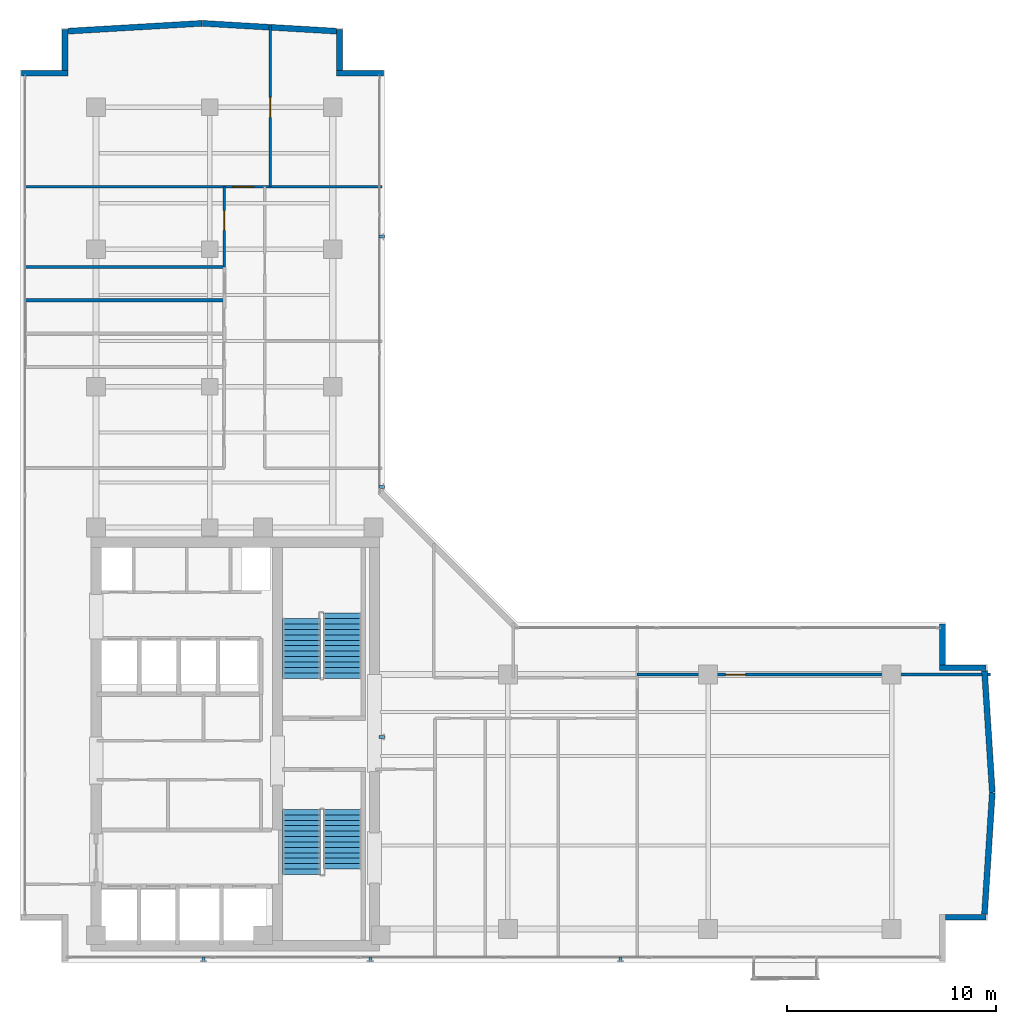
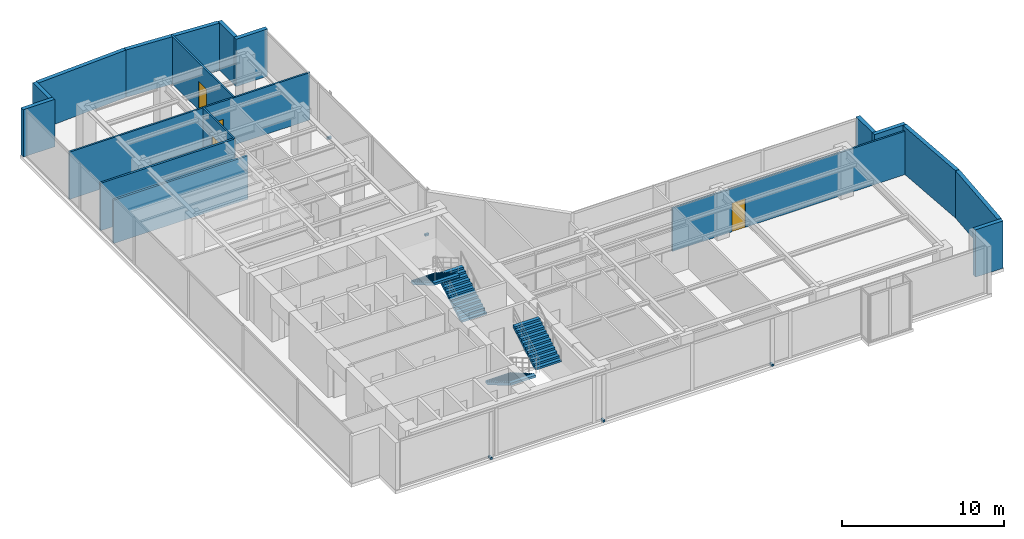
# One storey, part 18 of 23: 17 walls, 6 discrete accessories, 4 doors, 4 stair flights, 4 openings, 2 elements without a shape of their own.
"""IFC4 building model written with IfcOpenShell, lengths in metres."""

from ifc_helpers import new_model, si_unit, direction, frame, frame_2d, origin, origin_with_axes, origin_2d, place, context, subcontext, project, spatial, polyline, rectangle, outline, extrude, source, transform, mapped, material, layer, layer_set, type_object, element, fill, aggregate, save


model = new_model("IFC4")

# Units and contexts
model_context = context("Model", 3, precision=1e-05, world=origin(), true_north=direction((0.0, 1.0)))
body_context = subcontext(model_context, "Body", "Model", "MODEL_VIEW")
ifc_project = project(units=[si_unit("LENGTHUNIT", "METRE"), si_unit("AREAUNIT", "SQUARE_METRE"), si_unit("VOLUMEUNIT", "CUBIC_METRE"), si_unit("PLANEANGLEUNIT", "RADIAN"), si_unit("MASSUNIT", "GRAM", prefix="KILO")], contexts=[model_context])

# Site, building, storey
site_placement = place(None, origin())
site = spatial("IfcSite", under=ifc_project, at=site_placement, CompositionType="ELEMENT")
building_placement = place(site_placement, origin())
building = spatial("IfcBuilding", under=site, at=building_placement, Name="Kolvaren Waterfront Exchange", CompositionType="ELEMENT")
storey_placement = place(building_placement, frame((0.0, 0.0, 304.60009765625)))
storey = spatial("IfcBuildingStorey", under=building, at=storey_placement, Name="L78", CompositionType="ELEMENT", Elevation=304.60009765625)

# Walls
ifc_material_1 = material(Name="Precast concrete C40/50", Category="concrete")
ifc_layer_1 = layer(ifc_material_1, 0.280029296875, Name="Precast concrete C40/50")
ifc_layer_set_1 = layer_set([ifc_layer_1], Name="Precast concrete C40/50")
wall_type_1 = type_object("IfcWallType", Name="ARC-EXT-TERR-280", PredefinedType="SOLIDWALL", material=ifc_layer_set_1)
wall_1_placement = place(storey_placement, frame((48.1748046875, 5.760009765625, 0.0), z_axis=(0.0, 0.0, 1.0), x_axis=(1.0, 0.0, 0.0)))
element("IfcWall", 1, at=wall_1_placement, inside=storey, type_object=wall_type_1, Name="L78 notched corner spandrel pier SE-B", PredefinedType="SOLIDWALL", context=body_context, shape_type="SweptSolid", body=[
    extrude(rectangle(XDim=1.9599609375, YDim=0.280029296875, at=frame_2d((0.97998046875, 0.0))), origin(), (0.0, 0.0, 1.0), 3.559814453125),
])
wall_2_placement = place(storey_placement, frame((48.03466796875, 17.84912109375, 0.0), z_axis=(0.0, 0.0, 1.0), x_axis=(0.0, 1.0, 0.0)))
element("IfcWall", 2, at=wall_2_placement, inside=storey, type_object=wall_type_1, Name="L78 notched corner spandrel pier ENE-A", PredefinedType="SOLIDWALL", context=body_context, shape_type="SweptSolid", body=[
    extrude(rectangle(XDim=1.97509765625, YDim=0.280029296875, at=frame_2d((0.987548828125, 0.0))), origin(), (0.0, 0.0, 1.0), 3.559814453125),
])
for number, where, z_axis, x_axis, name in (
    (3, (47.894775390625, 17.72412109375, 0.0), (0.0, 0.0, 1.0), (1.0, 0.0, 0.0), "L78 notched corner spandrel pier ENE-B"),
    (4, (18.984130859375, 46.234619140625, 0.0), (0.0, 0.0, 1.0), (1.0, 0.0, 0.0), "L78 notched corner spandrel pier NNE-A"),
):
    element("IfcWall", number, at=place(storey_placement, frame(where, z_axis=z_axis, x_axis=x_axis)), inside=storey, type_object=wall_type_1, Name=name, PredefinedType="SOLIDWALL", context=body_context, shape_type="SweptSolid", body=[
        extrude(rectangle(XDim=2.239990234375, YDim=0.280029296875, at=frame_2d((1.1201171875, 0.0))), origin(), (0.0, 0.0, 1.0), 3.559814453125),
    ])
wall_3_placement = place(storey_placement, frame((19.124267578125, 46.374755859375, 0.0), z_axis=(0.0, 0.0, 1.0), x_axis=(0.0, 1.0, 0.0)))
element("IfcWall", 5, at=wall_3_placement, inside=storey, type_object=wall_type_1, Name="L78 notched corner spandrel pier NNE-B", PredefinedType="SOLIDWALL", context=body_context, shape_type="SweptSolid", body=[
    extrude(rectangle(XDim=1.9599609375, YDim=0.280029296875, at=frame_2d((0.97998046875, 0.0))), origin(), (0.0, 0.0, 1.0), 3.559814453125),
])
wall_4_placement = place(storey_placement, frame((3.860107421875, 46.234619140625, 0.0), z_axis=(0.0, 0.0, 1.0), x_axis=(1.0, 0.0, 0.0)))
element("IfcWall", 6, at=wall_4_placement, inside=storey, type_object=wall_type_1, Name="L78 notched corner spandrel pier NW-A", PredefinedType="SOLIDWALL", context=body_context, shape_type="SweptSolid", body=[
    extrude(rectangle(XDim=2.239990234375, YDim=0.280029296875, at=frame_2d((1.1201171875, 0.0))), origin(), (0.0, 0.0, 1.0), 3.559814453125),
])
wall_5_placement = place(storey_placement, frame((5.9599609375, 46.374755859375, 0.0), z_axis=(0.0, 0.0, 1.0), x_axis=(0.0, 1.0, 0.0)))
element("IfcWall", 7, at=wall_5_placement, inside=storey, type_object=wall_type_1, Name="L78 notched corner spandrel pier NW-B", PredefinedType="SOLIDWALL", context=body_context, shape_type="SweptSolid", body=[
    extrude(rectangle(XDim=1.9599609375, YDim=0.280029296875, at=frame_2d((0.97998046875, 0.0))), origin(), (0.0, 0.0, 1.0), 3.559814453125),
])
wall_6_placement = place(storey_placement, frame((50.05419921875, 5.90966796875, 0.0), z_axis=(0.0, 0.0, 1.0), x_axis=(0.064144359994, 0.997940630038, 0.0)))
element("IfcWall", 8, at=wall_6_placement, inside=storey, type_object=wall_type_1, Name="L78 east prow faceted facade wall 1", PredefinedType="SOLIDWALL", context=body_context, shape_type="SweptSolid", body=[
    extrude(rectangle(XDim=5.834716796875, YDim=0.280029296875, at=frame_2d((2.91748046875, 0.0))), origin(), (0.0, 0.0, 1.0), 3.559814453125),
])
wall_7_placement = place(storey_placement, frame((50.428466796875, 11.751708984375, 0.0), z_axis=(0.0, 0.0, 1.0), x_axis=(-0.06414168168, 0.997940802188, 0.0)))
element("IfcWall", 9, at=wall_7_placement, inside=storey, type_object=wall_type_1, Name="L78 east prow faceted facade wall 2", PredefinedType="SOLIDWALL", context=body_context, shape_type="SweptSolid", body=[
    extrude(rectangle(XDim=5.8349609375, YDim=0.280029296875, at=frame_2d((2.91748046875, 0.0))), origin(), (0.0, 0.0, 1.0), 3.559814453125),
])
for number, where, z_axis, x_axis, name in (
    (10, (18.975341796875, 48.25244140625, 0.0), (0.0, 0.0, 1.0), (-0.998290951688, 0.058439505288, 0.0), "L78 north prow faceted facade wall 1"),
    (11, (12.531494140625, 48.62841796875, 0.0), (0.0, 0.0, 1.0), (-0.998290951688, -0.058439505288, 0.0), "L78 north prow faceted facade wall 2"),
):
    element("IfcWall", number, at=place(storey_placement, frame(where, z_axis=z_axis, x_axis=x_axis)), inside=storey, type_object=wall_type_1, Name=name, PredefinedType="SOLIDWALL", context=body_context, shape_type="SweptSolid", body=[
        extrude(rectangle(XDim=6.43359375, YDim=0.280029296875, at=frame_2d((3.216796875, 0.0))), origin(), (0.0, 0.0, 1.0), 3.559814453125),
    ])

# Wall, opening, door
ifc_material_2 = material(Name="Acoustic gypsum steel stud", Category="steel")
ifc_layer_2 = layer(ifc_material_2, 0.125, Name="Acoustic gypsum steel stud")
ifc_layer_set_2 = layer_set([ifc_layer_2], Name="Acoustic gypsum steel stud")
wall_type_2 = type_object("IfcWallType", Name="ARC-PART-125", PredefinedType="PARTITIONING", material=ifc_layer_set_2)
wall_8_placement = place(storey_placement, frame((33.39990234375, 17.39990234375, 0.0), z_axis=(0.0, 0.0, 1.0), x_axis=(1.0, 0.0, 0.0)))
wall_8 = element("IfcWall", 12, at=wall_8_placement, inside=storey, type_object=wall_type_2, Name="L78 interior wall PW-L78-ETIP-MID", PredefinedType="PARTITIONING", context=body_context, shape_type="SweptSolid", body=[
    extrude(rectangle(XDim=16.949462890625, YDim=0.125, at=frame_2d((8.474609375, 0.0))), origin(), (0.0, 0.0, 1.0), 3.260009765625),
])
opening_1_placement = place(wall_8_placement, frame((4.24365234375, 0.0, 0.0)))
opening_1 = element("IfcOpeningElement", 13, at=opening_1_placement, cuts=wall_8, Name="Opening D02", PredefinedType="OPENING", context=body_context, shape_type="SweptSolid", body=[
    extrude(rectangle(XDim=0.949951171875, YDim=2.14990234375, at=frame_2d((0.47509765625, 1.074951171875))), frame((0.0, 0.072509765625, 0.0), z_axis=(0.0, -1.0, 0.0), x_axis=(1.0, 0.0, 0.0)), (0.0, 0.0, 1.0), 0.14501953125),
])
ifc_material_3 = material(Name="Oak veneer acoustic timber", Category="wood")
door_type_1 = type_object("IfcDoorType", Name="ARC-DR-950", OperationType="NOTDEFINED", PredefinedType="DOOR", material=ifc_material_3)
door_1_placement = place(opening_1_placement, origin())
door_1 = element("IfcDoor", 14, at=door_1_placement, inside=storey, type_object=door_type_1, Name="L78 door DR-L78-ETIP2-D (D02)", OperationType="SINGLE_SWING_RIGHT", OverallHeight=2.14990234375, OverallWidth=0.949951171875, PredefinedType="DOOR", context=body_context, shape_type="SweptSolid", body=[
    extrude(rectangle(XDim=0.949951171875, YDim=2.14990234375, at=frame_2d((0.47509765625, 1.074951171875))), frame((0.0, 0.02490234375, 0.0), z_axis=(0.0, -1.0, 0.0), x_axis=(1.0, 0.0, 0.0)), (0.0, 0.0, 1.0), 0.050048828125),
])
fill(opening_1, door_1)

wall_9_placement = place(storey_placement, frame((13.60009765625, 36.949951171875, 0.0), z_axis=(0.0, 0.0, 1.0), x_axis=(0.0, 1.0, 0.0)))
wall_9 = element("IfcWall", 15, at=wall_9_placement, inside=storey, type_object=wall_type_2, Name="L78 interior wall PW-L78-NW-CORR", PredefinedType="PARTITIONING", context=body_context, shape_type="SweptSolid", body=[
    extrude(rectangle(XDim=3.85009765625, YDim=0.125, at=frame_2d((1.925048828125, 0.0))), origin(), (0.0, 0.0, 1.0), 3.559814453125),
])
opening_2_placement = place(wall_9_placement, frame((1.75, 0.0, 0.0)))
opening_2 = element("IfcOpeningElement", 16, at=opening_2_placement, cuts=wall_9, Name="Opening D02", PredefinedType="OPENING", context=body_context, shape_type="SweptSolid", body=[
    extrude(rectangle(XDim=0.949951171875, YDim=2.14990234375, at=frame_2d((0.47509765625, 1.074951171875))), frame((0.0, 0.072509765625, 0.0), z_axis=(0.0, -1.0, 0.0), x_axis=(1.0, 0.0, 0.0)), (0.0, 0.0, 1.0), 0.14501953125),
])
door_2_placement = place(opening_2_placement, origin())
door_2 = element("IfcDoor", 17, at=door_2_placement, inside=storey, type_object=door_type_1, Name="L78 door DR-L78-NW-D-1 (D02)", OperationType="SINGLE_SWING_LEFT", OverallHeight=2.14990234375, OverallWidth=0.949951171875, PredefinedType="DOOR", context=body_context, shape_type="SweptSolid", body=[
    extrude(rectangle(XDim=0.949951171875, YDim=2.14990234375, at=frame_2d((0.47509765625, 1.074951171875))), frame((0.0, 0.02490234375, 0.0), z_axis=(0.0, -1.0, 0.0), x_axis=(1.0, 0.0, 0.0)), (0.0, 0.0, 1.0), 0.050048828125),
])
fill(opening_2, door_2)

wall_10_placement = place(storey_placement, frame((4.0400390625, 40.800048828125, 0.0), z_axis=(0.0, 0.0, 1.0), x_axis=(1.0, 0.0, 0.0)))
wall_10 = element("IfcWall", 18, at=wall_10_placement, inside=storey, type_object=wall_type_2, Name="L78 interior wall PW-L78-NTIP-S", PredefinedType="PARTITIONING", context=body_context, shape_type="SweptSolid", body=[
    extrude(rectangle(XDim=17.119873046875, YDim=0.125, at=frame_2d((8.56005859375, 0.0))), origin(), (0.0, 0.0, 1.0), 3.559814453125),
])
opening_3_placement = place(wall_10_placement, frame((9.9599609375, 0.0, 0.0)))
opening_3 = element("IfcOpeningElement", 19, at=opening_3_placement, cuts=wall_10, Name="Opening D03", PredefinedType="OPENING", context=body_context, shape_type="SweptSolid", body=[
    extrude(rectangle(XDim=1.0, YDim=2.199951171875, at=frame_2d((0.5, 1.10009765625))), frame((0.0, 0.072509765625, 0.0), z_axis=(0.0, -1.0, 0.0), x_axis=(1.0, 0.0, 0.0)), (0.0, 0.0, 1.0), 0.14501953125),
])
ifc_material_4 = material(Name="Oak veneer accessible timber", Category="wood")
door_type_2 = type_object("IfcDoorType", Name="ARC-DR-1000", OperationType="NOTDEFINED", PredefinedType="DOOR", material=ifc_material_4)
door_3_placement = place(opening_3_placement, origin())
door_3 = element("IfcDoor", 20, at=door_3_placement, inside=storey, type_object=door_type_2, Name="L78 door DR-L78-NTIPW-D (D03)", OperationType="SINGLE_SWING_RIGHT", OverallHeight=2.199951171875, OverallWidth=1.0, PredefinedType="DOOR", context=body_context, shape_type="SweptSolid", body=[
    extrude(rectangle(XDim=1.0, YDim=2.199951171875, at=frame_2d((0.5, 1.10009765625))), frame((0.0, 0.02490234375, 0.0), z_axis=(0.0, -1.0, 0.0), x_axis=(1.0, 0.0, 0.0)), (0.0, 0.0, 1.0), 0.050048828125),
])
fill(opening_3, door_3)

wall_11_placement = place(storey_placement, frame((15.800048828125, 40.800048828125, 0.0), z_axis=(0.0, 0.0, 1.0), x_axis=(0.0, 1.0, 0.0)))
wall_11 = element("IfcWall", 21, at=wall_11_placement, inside=storey, type_object=wall_type_2, Name="L78 interior wall PW-L78-NTIP-DIV", PredefinedType="PARTITIONING", context=body_context, shape_type="SweptSolid", body=[
    extrude(rectangle(XDim=7.749267578125, YDim=0.125, at=frame_2d((3.87451171875, 0.0))), origin(), (0.0, 0.0, 1.0), 3.559814453125),
])
opening_4_placement = place(wall_11_placement, frame((3.32421875, 0.0, 0.0)))
opening_4 = element("IfcOpeningElement", 22, at=opening_4_placement, cuts=wall_11, Name="Opening D02", PredefinedType="OPENING", context=body_context, shape_type="SweptSolid", body=[
    extrude(rectangle(XDim=0.949951171875, YDim=2.14990234375, at=frame_2d((0.47509765625, 1.074951171875))), frame((0.0, 0.072509765625, 0.0), z_axis=(0.0, -1.0, 0.0), x_axis=(1.0, 0.0, 0.0)), (0.0, 0.0, 1.0), 0.14501953125),
])
door_4_placement = place(opening_4_placement, origin())
door_4 = element("IfcDoor", 23, at=door_4_placement, inside=storey, type_object=door_type_1, Name="L78 door DR-L78-NTIPE-D (D02)", OperationType="SINGLE_SWING_LEFT", OverallHeight=2.14990234375, OverallWidth=0.949951171875, PredefinedType="DOOR", context=body_context, shape_type="SweptSolid", body=[
    extrude(rectangle(XDim=0.949951171875, YDim=2.14990234375, at=frame_2d((0.47509765625, 1.074951171875))), frame((0.0, 0.02490234375, 0.0), z_axis=(0.0, -1.0, 0.0), x_axis=(1.0, 0.0, 0.0)), (0.0, 0.0, 1.0), 0.050048828125),
])
fill(opening_4, door_4)

# Walls
ifc_material_5 = material(Name="Moisture-resistant gypsum stud")
ifc_layer_3 = layer(ifc_material_5, 0.14990234375, Name="Moisture-resistant gypsum stud")
ifc_layer_set_3 = layer_set([ifc_layer_3], Name="Moisture-resistant gypsum stud")
wall_type_3 = type_object("IfcWallType", Name="ARC-PLUMB-150", PredefinedType="PLUMBINGWALL", material=ifc_layer_set_3)
wall_12_placement = place(storey_placement, frame((4.0400390625, 35.35009765625, 0.0), z_axis=(0.0, 0.0, 1.0), x_axis=(1.0, 0.0, 0.0)))
element("IfcWall", 24, at=wall_12_placement, inside=storey, type_object=wall_type_3, Name="L78 interior wall PW-L78-WC-2", PredefinedType="PLUMBINGWALL", context=body_context, shape_type="SweptSolid", body=[
    extrude(rectangle(XDim=9.56005859375, YDim=0.14990234375, at=frame_2d((4.780029296875, 0.0))), origin(), (0.0, 0.0, 1.0), 3.260009765625),
])
wall_13_placement = place(storey_placement, frame((4.0400390625, 36.949951171875, 0.0), z_axis=(0.0, 0.0, 1.0), x_axis=(1.0, 0.0, 0.0)))
element("IfcWall", 25, at=wall_13_placement, inside=storey, type_object=wall_type_3, Name="L78 interior wall PW-L78-WC-3", PredefinedType="PLUMBINGWALL", context=body_context, shape_type="SweptSolid", body=[
    extrude(rectangle(XDim=9.56005859375, YDim=0.14990234375, at=frame_2d((4.780029296875, 0.0))), origin(), (0.0, 0.0, 1.0), 3.559814453125),
])

# Stair, stair flights
ifc_material_6 = material(Name="Concrete C40/50", Category="concrete")
stair_type = type_object("IfcStairType", Name="ARC-STAIR-3800", PredefinedType="HALF_TURN_STAIR", material=ifc_material_6)
stair_1_placement = place(storey_placement, origin())
stair_1 = element("IfcStair", 26, at=stair_1_placement, inside=storey, type_object=stair_type, Name="L78 Smoke-proof exit stair ST1", PredefinedType="HALF_TURN_STAIR")
stair_flight_type = type_object("IfcStairFlightType", Name="ARC-FLIGHT-3800", PredefinedType="STRAIGHT", material=ifc_material_6)
stair_flight_1_placement = place(storey_placement, frame((17.300048828125, 10.929931640625, 0.0), z_axis=(0.0, 0.0, 1.0), x_axis=(0.0, -1.0, 0.0)))
stair_flight_1 = element("IfcStairFlight", 27, at=stair_flight_1_placement, type_object=stair_flight_type, Name="ST1 flight 1", NumberOfRisers=13, NumberOfTreads=12, PredefinedType="STRAIGHT", RiserHeight=0.152, TreadLength=0.26, context=body_context, shape_type="SweptSolid", body=[
    extrude(outline(polyline([(0.0, 0.0), (0.0, 0.152099609375), (0.260009765625, 0.152099609375), (0.260009765625, 0.303955078125), (0.52001953125, 0.303955078125), (0.52001953125, 0.4560546875), (0.780029296875, 0.4560546875), (0.780029296875, 0.60791015625), (1.0400390625, 0.60791015625), (1.0400390625, 0.760009765625), (1.300048828125, 0.760009765625), (1.300048828125, 0.912109375), (1.56005859375, 0.912109375), (1.56005859375, 1.06396484375), (1.820068359375, 1.06396484375), (1.820068359375, 1.216064453125), (2.080078125, 1.216064453125), (2.080078125, 1.367919921875), (2.340087890625, 1.367919921875), (2.340087890625, 1.52001953125), (2.60009765625, 1.52001953125), (2.60009765625, 1.672119140625), (2.860107421875, 1.672119140625), (2.860107421875, 1.823974609375), (3.1201171875, 1.823974609375), (3.1201171875, 1.97607421875), (3.1201171875, 1.650390625), (0.297119140625, 0.0), (0.0, 0.0)])), frame((0.0, 0.89990234375, 0.0), z_axis=(0.0, -1.0, 0.0), x_axis=(1.0, 0.0, 0.0)), (0.0, 0.0, 1.0), 1.800048828125),
])
stair_flight_2_placement = place(storey_placement, frame((19.260009765625, 8.070068359375, 1.975830078125), z_axis=(0.0, 0.0, 1.0), x_axis=(0.0, 1.0, 0.0)))
stair_flight_2 = element("IfcStairFlight", 28, at=stair_flight_2_placement, type_object=stair_flight_type, Name="ST1 flight 2", NumberOfRisers=12, NumberOfTreads=11, PredefinedType="STRAIGHT", RiserHeight=0.152, TreadLength=0.26, context=body_context, shape_type="SweptSolid", body=[
    extrude(outline(polyline([(0.0, 0.0), (0.0, 0.152099609375), (0.260009765625, 0.152099609375), (0.260009765625, 0.303955078125), (0.52001953125, 0.303955078125), (0.52001953125, 0.4560546875), (0.780029296875, 0.4560546875), (0.780029296875, 0.60791015625), (1.0400390625, 0.60791015625), (1.0400390625, 0.760009765625), (1.300048828125, 0.760009765625), (1.300048828125, 0.912109375), (1.56005859375, 0.912109375), (1.56005859375, 1.06396484375), (1.820068359375, 1.06396484375), (1.820068359375, 1.216064453125), (2.080078125, 1.216064453125), (2.080078125, 1.367919921875), (2.340087890625, 1.367919921875), (2.340087890625, 1.52001953125), (2.60009765625, 1.52001953125), (2.60009765625, 1.672119140625), (2.860107421875, 1.672119140625), (2.860107421875, 1.823974609375), (2.860107421875, 1.498291015625), (0.297119140625, 0.0), (0.0, 0.0)])), frame((0.0, 0.89990234375, 0.0), z_axis=(0.0, -1.0, 0.0), x_axis=(1.0, 0.0, 0.0)), (0.0, 0.0, 1.0), 1.800048828125),
])
aggregate(stair_1, [stair_flight_1, stair_flight_2])

stair_2_placement = place(storey_placement, origin())
stair_2 = element("IfcStair", 29, at=stair_2_placement, inside=storey, type_object=stair_type, Name="L78 Smoke-proof exit stair ST2", PredefinedType="HALF_TURN_STAIR")
stair_flight_3_placement = place(storey_placement, frame((19.260009765625, 17.219970703125, 0.0), z_axis=(0.0, 0.0, 1.0), x_axis=(0.0, 1.0, 0.0)))
stair_flight_3 = element("IfcStairFlight", 30, at=stair_flight_3_placement, type_object=stair_flight_type, Name="ST2 flight 1", NumberOfRisers=13, NumberOfTreads=12, PredefinedType="STRAIGHT", RiserHeight=0.152, TreadLength=0.26, context=body_context, shape_type="SweptSolid", body=[
    extrude(outline(polyline([(0.0, 0.0), (0.0, 0.152099609375), (0.260009765625, 0.152099609375), (0.260009765625, 0.303955078125), (0.52001953125, 0.303955078125), (0.52001953125, 0.4560546875), (0.780029296875, 0.4560546875), (0.780029296875, 0.60791015625), (1.0400390625, 0.60791015625), (1.0400390625, 0.760009765625), (1.300048828125, 0.760009765625), (1.300048828125, 0.912109375), (1.56005859375, 0.912109375), (1.56005859375, 1.06396484375), (1.820068359375, 1.06396484375), (1.820068359375, 1.216064453125), (2.080078125, 1.216064453125), (2.080078125, 1.367919921875), (2.340087890625, 1.367919921875), (2.340087890625, 1.52001953125), (2.60009765625, 1.52001953125), (2.60009765625, 1.672119140625), (2.860107421875, 1.672119140625), (2.860107421875, 1.823974609375), (3.1201171875, 1.823974609375), (3.1201171875, 1.97607421875), (3.1201171875, 1.650390625), (0.297119140625, 0.0), (0.0, 0.0)])), frame((0.0, 0.89990234375, 0.0), z_axis=(0.0, -1.0, 0.0), x_axis=(1.0, 0.0, 0.0)), (0.0, 0.0, 1.0), 1.800048828125),
])
stair_flight_4_placement = place(storey_placement, frame((17.300048828125, 20.080078125, 1.975830078125), z_axis=(0.0, 0.0, 1.0), x_axis=(0.0, -1.0, 0.0)))
stair_flight_4 = element("IfcStairFlight", 31, at=stair_flight_4_placement, type_object=stair_flight_type, Name="ST2 flight 2", NumberOfRisers=12, NumberOfTreads=11, PredefinedType="STRAIGHT", RiserHeight=0.152, TreadLength=0.26, context=body_context, shape_type="SweptSolid", body=[
    extrude(outline(polyline([(0.0, 0.0), (0.0, 0.152099609375), (0.260009765625, 0.152099609375), (0.260009765625, 0.303955078125), (0.52001953125, 0.303955078125), (0.52001953125, 0.4560546875), (0.780029296875, 0.4560546875), (0.780029296875, 0.60791015625), (1.0400390625, 0.60791015625), (1.0400390625, 0.760009765625), (1.300048828125, 0.760009765625), (1.300048828125, 0.912109375), (1.56005859375, 0.912109375), (1.56005859375, 1.06396484375), (1.820068359375, 1.06396484375), (1.820068359375, 1.216064453125), (2.080078125, 1.216064453125), (2.080078125, 1.367919921875), (2.340087890625, 1.367919921875), (2.340087890625, 1.52001953125), (2.60009765625, 1.52001953125), (2.60009765625, 1.672119140625), (2.860107421875, 1.672119140625), (2.860107421875, 1.823974609375), (2.860107421875, 1.498291015625), (0.297119140625, 0.0), (0.0, 0.0)])), frame((0.0, 0.89990234375, 0.0), z_axis=(0.0, -1.0, 0.0), x_axis=(1.0, 0.0, 0.0)), (0.0, 0.0, 1.0), 1.800048828125),
])
aggregate(stair_2, [stair_flight_3, stair_flight_4])

# Discrete accessories
ifc_material_7 = material(Name="Stainless steel 316", Category="steel")
discrete_accessory_type = type_object("IfcDiscreteAccessoryType", Name="ARC-BRK-FIN", PredefinedType="BRACKET", material=ifc_material_7)
shared_shape = source(origin_with_axes(), body_context, "Body", "SweptSolid", [
    extrude(rectangle(XDim=0.280029296875, YDim=0.139892578125, at=origin_2d()), origin(), (0.0, 0.0, 1.0), 0.159912109375),
])
for number, where, z_axis, x_axis, name in (
    (32, (12.60009765625, 3.719970703125, 0.0), (0.0, 0.0, 1.0), (0.0, -1.0, 0.0), "L78 bronze fin anchor bracket FIN-L78-S1"),
    (33, (20.60009765625, 3.719970703125, 0.0), (0.0, 0.0, 1.0), (0.0, -1.0, 0.0), "L78 bronze fin anchor bracket FIN-L78-S2"),
    (34, (32.60009765625, 3.719970703125, 0.0), (0.0, 0.0, 1.0), (0.0, -1.0, 0.0), "L78 bronze fin anchor bracket FIN-L78-S3"),
    (35, (21.164306640625, 14.39990234375, 0.0), (0.0, 0.0, 1.0), (1.0, 0.0, 0.0), "L78 bronze fin anchor bracket FIN-L78-E1"),
    (36, (21.164306640625, 26.39990234375, 0.0), (0.0, 0.0, 1.0), (1.0, 0.0, 0.0), "L78 bronze fin anchor bracket FIN-L78-E2"),
    (37, (21.164306640625, 38.39990234375, 0.0), (0.0, 0.0, 1.0), (1.0, 0.0, 0.0), "L78 bronze fin anchor bracket FIN-L78-E3"),
):
    element("IfcDiscreteAccessory", number, at=place(storey_placement, frame(where, z_axis=z_axis, x_axis=x_axis)), inside=storey, type_object=discrete_accessory_type, Name=name, PredefinedType="BRACKET", context=body_context, shape_type="MappedRepresentation", body=[
        mapped(shared_shape, transform((0.0, 0.0, 0.0), x_axis=(1.0, 0.0, 0.0), y_axis=(0.0, 1.0, 0.0), z_axis=(0.0, 0.0, 1.0), scale=1.0)),
    ])

save(model, "model.ifc")
